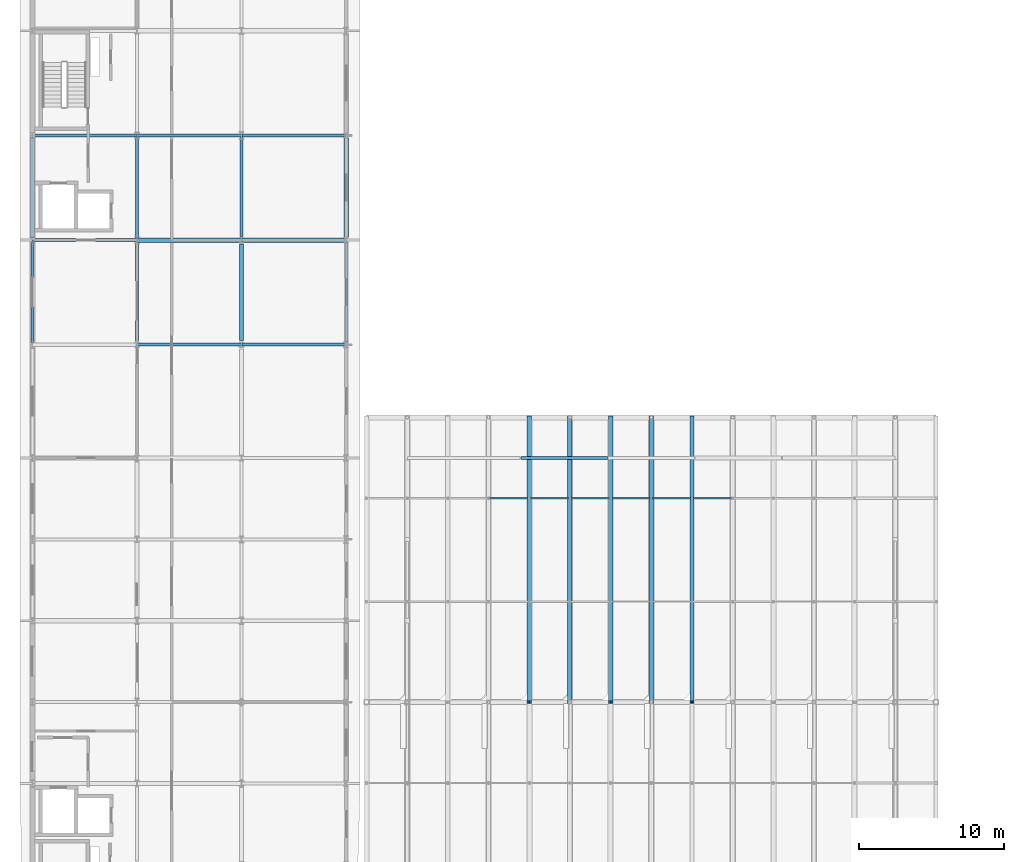
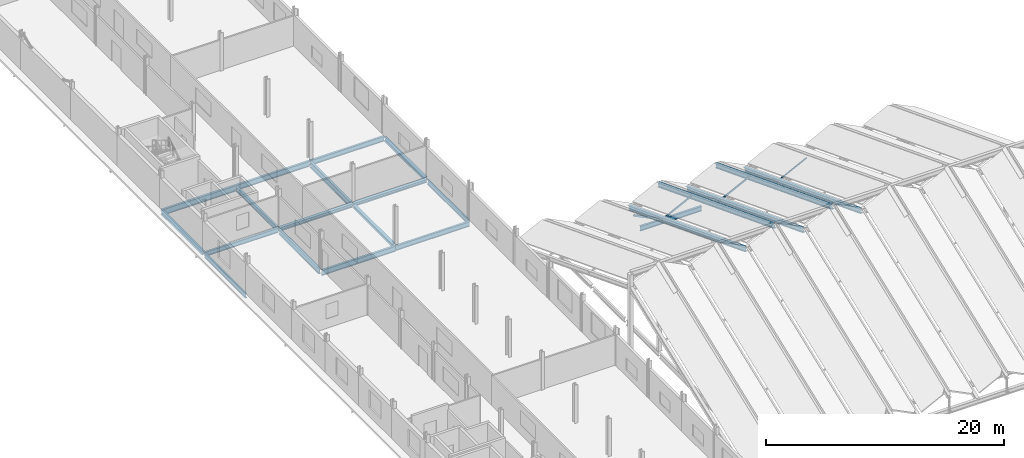
# One storey, part 20 of 49: 22 beams, 6 members.
"""IFC4 building model written with IfcOpenShell, lengths in metres."""

from ifc_helpers import new_model, si_unit, direction, frame, origin, origin_2d, place, context, subcontext, project, spatial, hollow_rectangle, i_section, extrude, material, material_profile, profile_set, type_object, element, save


model = new_model("IFC4")

# Units and contexts
model_context = context("Model", 3, precision=1e-05, world=origin(), true_north=direction((0.0, 1.0)))
body_context = subcontext(model_context, "Body", "Model", "MODEL_VIEW")
ifc_project = project(units=[si_unit("LENGTHUNIT", "METRE"), si_unit("AREAUNIT", "SQUARE_METRE"), si_unit("VOLUMEUNIT", "CUBIC_METRE"), si_unit("PLANEANGLEUNIT", "RADIAN"), si_unit("MASSUNIT", "GRAM", prefix="KILO")], contexts=[model_context])

# Site, building, storey
site_placement = place(None, origin())
site = spatial("IfcSite", under=ifc_project, at=site_placement, CompositionType="ELEMENT")
building_placement = place(site_placement, origin())
building = spatial("IfcBuilding", under=site, at=building_placement, Name="Vinh Khe Railworks Police Headquarters", CompositionType="ELEMENT")
storey_placement = place(building_placement, frame((0.0, 0.0, 17.10009765625)))
storey = spatial("IfcBuildingStorey", under=building, at=storey_placement, Name="L04", CompositionType="ELEMENT", Elevation=17.10009765625)

# Members
ifc_material = material(Name="Steel S355JR", Category="steel")
ifc_material_profile_1 = material_profile(ifc_material, hollow_rectangle(XDim=0.080078125, YDim=0.1201171875, WallThickness=0.00634765625, at=origin_2d()), Name="RHS 120x80x6.3")
ifc_profile_set_1 = profile_set([ifc_material_profile_1], Name="Steel S355JR")
member_type_1 = type_object("IfcMemberType", Name="Roof Purlin RHS 120x80x6.3", PredefinedType="PURLIN", material=ifc_profile_set_1)
member_1_placement = place(storey_placement, frame((46.0, 56.03271484375, 1.9775390625), z_axis=(0.894442788028, 0.0, 0.447182400083), x_axis=(0.0, 1.0, 0.0)))
element("IfcMember", 1, at=member_1_placement, inside=storey, type_object=member_type_1, Name="Folded Roof Purlin 036", PredefinedType="PURLIN", context=body_context, shape_type="SweptSolid", body=[
    extrude(hollow_rectangle(XDim=0.080078125, YDim=0.1201171875, WallThickness=0.00634765625, at=origin_2d()), origin(), (0.0, 0.0, 1.0), 3.130615234375),
])
ifc_material_profile_2 = material_profile(ifc_material, hollow_rectangle(XDim=0.10009765625, YDim=0.14990234375, WallThickness=0.008056640625, at=origin_2d()), Name="RHS 150x100x8")
ifc_profile_set_2 = profile_set([ifc_material_profile_2], Name="Steel S355JR")
member_type_2 = type_object("IfcMemberType", Name="Roof Purlin RHS 150x100x8", PredefinedType="PURLIN", material=ifc_profile_set_2)
for number, where, z_axis, x_axis, name in (
    (2, (40.39990234375, 56.03271484375, 1.96240234375), (0.894411593428, 0.0, 0.447244789285), (0.0, 1.0, 0.0), "Folded Roof Purlin 028"),
    (3, (43.199951171875, 56.03271484375, 3.362548828125), (0.894411593428, 0.0, -0.447244789285), (0.0, 1.0, 0.0), "Folded Roof Purlin 032"),
):
    element("IfcMember", number, at=place(storey_placement, frame(where, z_axis=z_axis, x_axis=x_axis)), inside=storey, type_object=member_type_2, Name=name, PredefinedType="PURLIN", context=body_context, shape_type="SweptSolid", body=[
        extrude(hollow_rectangle(XDim=0.10009765625, YDim=0.14990234375, WallThickness=0.008056640625, at=origin_2d()), origin(), (0.0, 0.0, 1.0), 3.130615234375),
    ])
ifc_material_profile_3 = material_profile(ifc_material, hollow_rectangle(XDim=0.080078125, YDim=0.159912109375, WallThickness=0.008056640625, at=origin_2d()), Name="RHS 160x80x8")
ifc_profile_set_3 = profile_set([ifc_material_profile_3], Name="Steel S355JR")
member_type_3 = type_object("IfcMemberType", Name="Roof Purlin RHS 160x80x8", PredefinedType="PURLIN", material=ifc_profile_set_3)
member_2_placement = place(storey_placement, frame((34.800048828125, 56.03271484375, 1.95751953125), z_axis=(0.894442788028, 0.0, 0.447182400083), x_axis=(0.0, 1.0, 0.0)))
element("IfcMember", 4, at=member_2_placement, inside=storey, type_object=member_type_3, Name="Folded Roof Purlin 020", PredefinedType="PURLIN", context=body_context, shape_type="SweptSolid", body=[
    extrude(hollow_rectangle(XDim=0.080078125, YDim=0.159912109375, WallThickness=0.008056640625, at=origin_2d()), origin(), (0.0, 0.0, 1.0), 3.130615234375),
])
member_3_placement = place(storey_placement, frame((37.60009765625, 56.03271484375, 3.357421875), z_axis=(0.894427191, 0.0, -0.4472135955), x_axis=(0.0, 1.0, 0.0)))
element("IfcMember", 5, at=member_3_placement, inside=storey, type_object=member_type_3, Name="Folded Roof Purlin 024", PredefinedType="PURLIN", context=body_context, shape_type="SweptSolid", body=[
    extrude(hollow_rectangle(XDim=0.080078125, YDim=0.159912109375, WallThickness=0.008056640625, at=origin_2d()), origin(), (0.0, 0.0, 1.0), 3.13037109375),
])
ifc_material_profile_4 = material_profile(ifc_material, hollow_rectangle(XDim=0.10009765625, YDim=0.179931640625, WallThickness=0.008056640625, at=origin_2d()), Name="RHS 180x100x8")
ifc_profile_set_4 = profile_set([ifc_material_profile_4], Name="Steel S355JR")
member_type_4 = type_object("IfcMemberType", Name="Roof Purlin RHS 180x100x8", PredefinedType="PURLIN", material=ifc_profile_set_4)
member_4_placement = place(storey_placement, frame((32.0, 56.03271484375, 3.347412109375), z_axis=(0.894442788028, 0.0, -0.447182400083), x_axis=(0.0, 1.0, 0.0)))
element("IfcMember", 6, at=member_4_placement, inside=storey, type_object=member_type_4, Name="Folded Roof Purlin 016", PredefinedType="PURLIN", context=body_context, shape_type="SweptSolid", body=[
    extrude(hollow_rectangle(XDim=0.10009765625, YDim=0.179931640625, WallThickness=0.008056640625, at=origin_2d()), origin(), (0.0, 0.0, 1.0), 3.130615234375),
])

# Beams
ifc_material_profile_5 = material_profile(ifc_material, i_section(OverallWidth=0.300048828125, OverallDepth=0.330078125, WebThickness=0.009521484375, FlangeThickness=0.0166015625, FilletRadius=0.027099609375, at=origin_2d()), Name="HEA 340")
ifc_profile_set_5 = profile_set([ifc_material_profile_5], Name="Steel S355JR")
beam_type_1 = type_object("IfcBeamType", Name="Steel Girder HEA 340", PredefinedType="BEAM", material=ifc_profile_set_5)
beam_1_placement = place(storey_placement, frame((15.02001953125, 73.800048828125, -0.364990234375), z_axis=(1.0, 0.0, 0.0), x_axis=(0.0, 1.0, 0.0)))
element("IfcBeam", 7, at=beam_1_placement, inside=storey, type_object=beam_type_1, Name="Girder BM-L04-EW-SB-16-1322", PredefinedType="BEAM", context=body_context, shape_type="SweptSolid", body=[
    extrude(i_section(OverallWidth=0.300048828125, OverallDepth=0.330078125, WebThickness=0.009521484375, FlangeThickness=0.0166015625, FilletRadius=0.027099609375, at=origin_2d()), origin(), (0.0, 0.0, 1.0), 7.159912109375),
])
beam_2_placement = place(storey_placement, frame((15.0, 66.8798828125, -0.364990234375), z_axis=(0.0, 1.0, 0.0), x_axis=(-1.0, 0.0, 0.0)))
element("IfcBeam", 8, at=beam_2_placement, inside=storey, type_object=beam_type_1, Name="Girder BM-L04-NS-SB-16-1412", PredefinedType="BEAM", context=body_context, shape_type="SweptSolid", body=[
    extrude(i_section(OverallWidth=0.300048828125, OverallDepth=0.330078125, WebThickness=0.009521484375, FlangeThickness=0.0166015625, FilletRadius=0.027099609375, at=origin_2d()), origin(), (0.0, 0.0, 1.0), 6.6650390625),
])
ifc_material_profile_6 = material_profile(ifc_material, i_section(OverallWidth=0.300048828125, OverallDepth=0.35009765625, WebThickness=0.010009765625, FlangeThickness=0.017578125, FilletRadius=0.027099609375, at=origin_2d()), Name="HEA 360")
ifc_profile_set_6 = profile_set([ifc_material_profile_6], Name="Steel S355JR")
beam_type_2 = type_object("IfcBeamType", Name="Steel Girder HEA 360", PredefinedType="BEAM", material=ifc_profile_set_6)
beam_3_placement = place(storey_placement, frame((7.820068359375, 73.800048828125, -0.375), z_axis=(1.0, 0.0, 0.0), x_axis=(0.0, 1.0, 0.0)))
element("IfcBeam", 9, at=beam_3_placement, inside=storey, type_object=beam_type_2, Name="Girder BM-L04-EW-SB-15-1321", PredefinedType="BEAM", context=body_context, shape_type="SweptSolid", body=[
    extrude(i_section(OverallWidth=0.300048828125, OverallDepth=0.35009765625, WebThickness=0.010009765625, FlangeThickness=0.017578125, FilletRadius=0.027099609375, at=origin_2d()), origin(), (0.0, 0.0, 1.0), 7.159912109375),
])
beam_4_placement = place(storey_placement, frame((0.60009765625, 73.93505859375, -0.375), z_axis=(0.0, 1.0, 0.0), x_axis=(-1.0, 0.0, 0.0)))
element("IfcBeam", 10, at=beam_4_placement, inside=storey, type_object=beam_type_2, Name="Girder BM-L04-NS-SB-15-1381", PredefinedType="BEAM", context=body_context, shape_type="SweptSolid", body=[
    extrude(i_section(OverallWidth=0.300048828125, OverallDepth=0.35009765625, WebThickness=0.010009765625, FlangeThickness=0.017578125, FilletRadius=0.027099609375, at=origin_2d()), origin(), (0.0, 0.0, 1.0), 6.93994140625),
])
beam_5_placement = place(storey_placement, frame((22.199951171875, 73.9599609375, -0.375), z_axis=(0.0, 1.0, 0.0), x_axis=(-1.0, 0.0, 0.0)))
element("IfcBeam", 11, at=beam_5_placement, inside=storey, type_object=beam_type_2, Name="Girder BM-L04-NS-SB-15-1429", PredefinedType="BEAM", context=body_context, shape_type="SweptSolid", body=[
    extrude(i_section(OverallWidth=0.300048828125, OverallDepth=0.35009765625, WebThickness=0.010009765625, FlangeThickness=0.017578125, FilletRadius=0.027099609375, at=origin_2d()), origin(), (0.0, 0.0, 1.0), 6.89013671875),
])
ifc_material_profile_7 = material_profile(ifc_material, i_section(OverallWidth=0.300048828125, OverallDepth=0.43994140625, WebThickness=0.011474609375, FlangeThickness=0.02099609375, FilletRadius=0.027099609375, at=origin_2d()), Name="HEA 450")
ifc_profile_set_7 = profile_set([ifc_material_profile_7], Name="Steel S355JR")
beam_type_3 = type_object("IfcBeamType", Name="Steel Girder HEA 450", PredefinedType="BEAM", material=ifc_profile_set_7)
for number, where, z_axis, x_axis, name in (
    (12, (37.60009765625, 61.60009765625, 1.208740234375), (0.0, -0.93236035026, 0.361530326893), (1.0, 0.0, 0.0), "Folded Roof Ridge Girder 012 (N)"),
    (13, (43.199951171875, 61.60009765625, 1.208740234375), (0.0, -0.93236035026, 0.361530326893), (1.0, 0.0, 0.0), "Folded Roof Ridge Girder 016 (N)"),
):
    element("IfcBeam", number, at=place(storey_placement, frame(where, z_axis=z_axis, x_axis=x_axis)), inside=storey, type_object=beam_type_3, Name=name, PredefinedType="BEAM", context=body_context, shape_type="SweptSolid", body=[
        extrude(i_section(OverallWidth=0.300048828125, OverallDepth=0.43994140625, WebThickness=0.011474609375, FlangeThickness=0.02099609375, FilletRadius=0.027099609375, at=origin_2d()), origin(), (0.0, 0.0, 1.0), 21.02197265625),
    ])
ifc_material_profile_8 = material_profile(ifc_material, i_section(OverallWidth=0.300048828125, OverallDepth=0.449951171875, WebThickness=0.013916015625, FlangeThickness=0.02587890625, FilletRadius=0.027099609375, at=origin_2d()), Name="HEB 450")
ifc_profile_set_8 = profile_set([ifc_material_profile_8], Name="Steel S355JR")
beam_type_4 = type_object("IfcBeamType", Name="Steel Girder HEB 450", PredefinedType="BEAM", material=ifc_profile_set_8)
for number, where, z_axis, x_axis, name in (
    (14, (34.800048828125, 61.60009765625, -0.191162109375), (0.0, -0.932364264883, 0.361520231204), (1.0, 0.0, 0.0), "Folded Roof Valley Girder 010 (N)"),
    (15, (40.39990234375, 61.60009765625, -0.191162109375), (0.0, -0.932364264883, 0.361520231204), (1.0, 0.0, 0.0), "Folded Roof Valley Girder 014 (N)"),
    (16, (46.0, 61.60009765625, -0.191162109375), (0.0, -0.932364264883, 0.361520231204), (1.0, 0.0, 0.0), "Folded Roof Valley Girder 018 (N)"),
):
    element("IfcBeam", number, at=place(storey_placement, frame(where, z_axis=z_axis, x_axis=x_axis)), inside=storey, type_object=beam_type_4, Name=name, PredefinedType="BEAM", context=body_context, shape_type="SweptSolid", body=[
        extrude(i_section(OverallWidth=0.300048828125, OverallDepth=0.449951171875, WebThickness=0.013916015625, FlangeThickness=0.02587890625, FilletRadius=0.027099609375, at=origin_2d()), origin(), (0.0, 0.0, 1.0), 21.02197265625),
    ])
ifc_material_profile_9 = material_profile(ifc_material, i_section(OverallWidth=0.18994140625, OverallDepth=0.449951171875, WebThickness=0.009521484375, FlangeThickness=0.0146484375, FilletRadius=0.02099609375, at=origin_2d()), Name="IPE 450")
ifc_profile_set_9 = profile_set([ifc_material_profile_9], Name="Steel S355JR")
beam_type_5 = type_object("IfcBeamType", Name="Steel Girder IPE 450", PredefinedType="BEAM", material=ifc_profile_set_9)
beam_6_placement = place(storey_placement, frame((0.6201171875, 73.800048828125, -0.425048828125), z_axis=(1.0, 0.0, 0.0), x_axis=(0.0, 1.0, 0.0)))
element("IfcBeam", 17, at=beam_6_placement, inside=storey, type_object=beam_type_5, Name="Girder BM-L04-EW-SB-20-1320", PredefinedType="BEAM", context=body_context, shape_type="SweptSolid", body=[
    extrude(i_section(OverallWidth=0.18994140625, OverallDepth=0.449951171875, WebThickness=0.009521484375, FlangeThickness=0.0146484375, FilletRadius=0.02099609375, at=origin_2d()), origin(), (0.0, 0.0, 1.0), 7.159912109375),
])
beam_7_placement = place(storey_placement, frame((0.60009765625, 66.75, -0.425048828125), z_axis=(0.0, 1.0, 0.0), x_axis=(-1.0, 0.0, 0.0)))
element("IfcBeam", 18, at=beam_7_placement, inside=storey, type_object=beam_type_5, Name="Girder BM-L04-NS-SB-20-1380", PredefinedType="BEAM", context=body_context, shape_type="SweptSolid", body=[
    extrude(i_section(OverallWidth=0.18994140625, OverallDepth=0.449951171875, WebThickness=0.009521484375, FlangeThickness=0.0146484375, FilletRadius=0.02099609375, at=origin_2d()), origin(), (0.0, 0.0, 1.0), 6.9150390625),
])
beam_8_placement = place(storey_placement, frame((22.199951171875, 66.780029296875, -0.425048828125), z_axis=(0.0, 1.0, 0.0), x_axis=(-1.0, 0.0, 0.0)))
element("IfcBeam", 19, at=beam_8_placement, inside=storey, type_object=beam_type_5, Name="Girder BM-L04-NS-SB-20-1428", PredefinedType="BEAM", context=body_context, shape_type="SweptSolid", body=[
    extrude(i_section(OverallWidth=0.18994140625, OverallDepth=0.449951171875, WebThickness=0.009521484375, FlangeThickness=0.0146484375, FilletRadius=0.02099609375, at=origin_2d()), origin(), (0.0, 0.0, 1.0), 6.85986328125),
])
ifc_material_profile_10 = material_profile(ifc_material, i_section(OverallWidth=0.199951171875, OverallDepth=0.5, WebThickness=0.01025390625, FlangeThickness=0.01611328125, FilletRadius=0.02099609375, at=origin_2d()), Name="IPE 500")
ifc_profile_set_10 = profile_set([ifc_material_profile_10], Name="Steel S355JR")
beam_type_6 = type_object("IfcBeamType", Name="Steel Girder IPE 500", PredefinedType="BEAM", material=ifc_profile_set_10)
beam_9_placement = place(storey_placement, frame((34.219970703125, 58.800048828125, -0.4501953125), z_axis=(1.0, 0.0, 0.0), x_axis=(0.0, 1.0, 0.0)))
element("IfcBeam", 20, at=beam_9_placement, inside=storey, type_object=beam_type_6, Name="Girder BM-L04-EW-SB-19-1313", PredefinedType="BEAM", context=body_context, shape_type="SweptSolid", body=[
    extrude(i_section(OverallWidth=0.199951171875, OverallDepth=0.5, WebThickness=0.01025390625, FlangeThickness=0.01611328125, FilletRadius=0.02099609375, at=origin_2d()), origin(), (0.0, 0.0, 1.0), 5.9599609375),
])
for number, where, z_axis, x_axis, name in (
    (21, (15.02001953125, 66.60009765625, -0.4501953125), (1.0, 0.0, 0.0), (0.0, 1.0, 0.0), "Girder BM-L04-EW-SB-19-1319"),
    (22, (15.02001953125, 81.0, -0.4501953125), (1.0, 0.0, 0.0), (0.0, 1.0, 0.0), "Girder BM-L04-EW-SB-19-1325"),
):
    element("IfcBeam", number, at=place(storey_placement, frame(where, z_axis=z_axis, x_axis=x_axis)), inside=storey, type_object=beam_type_6, Name=name, PredefinedType="BEAM", context=body_context, shape_type="SweptSolid", body=[
        extrude(i_section(OverallWidth=0.199951171875, OverallDepth=0.5, WebThickness=0.01025390625, FlangeThickness=0.01611328125, FilletRadius=0.02099609375, at=origin_2d()), origin(), (0.0, 0.0, 1.0), 7.159912109375),
    ])
beam_10_placement = place(storey_placement, frame((7.800048828125, 73.949951171875, -0.4501953125), z_axis=(0.0, 1.0, 0.0), x_axis=(-1.0, 0.0, 0.0)))
element("IfcBeam", 23, at=beam_10_placement, inside=storey, type_object=beam_type_6, Name="Girder BM-L04-NS-SB-19-1397", PredefinedType="BEAM", context=body_context, shape_type="SweptSolid", body=[
    extrude(i_section(OverallWidth=0.199951171875, OverallDepth=0.5, WebThickness=0.01025390625, FlangeThickness=0.01611328125, FilletRadius=0.02099609375, at=origin_2d()), origin(), (0.0, 0.0, 1.0), 6.9150390625),
])
ifc_material_profile_11 = material_profile(ifc_material, i_section(OverallWidth=0.2099609375, OverallDepth=0.550048828125, WebThickness=0.010986328125, FlangeThickness=0.01708984375, FilletRadius=0.02392578125, at=origin_2d()), Name="IPE 550")
ifc_profile_set_11 = profile_set([ifc_material_profile_11], Name="Steel S355JR")
beam_type_7 = type_object("IfcBeamType", Name="Steel Girder IPE 550", PredefinedType="BEAM", material=ifc_profile_set_11)
for number, where, z_axis, x_axis, name in (
    (24, (7.820068359375, 66.60009765625, -0.47509765625), (1.0, 0.0, 0.0), (0.0, 1.0, 0.0), "Girder BM-L04-EW-SB-18-1318"),
    (25, (7.820068359375, 81.0, -0.47509765625), (1.0, 0.0, 0.0), (0.0, 1.0, 0.0), "Girder BM-L04-EW-SB-18-1324"),
):
    element("IfcBeam", number, at=place(storey_placement, frame(where, z_axis=z_axis, x_axis=x_axis)), inside=storey, type_object=beam_type_7, Name=name, PredefinedType="BEAM", context=body_context, shape_type="SweptSolid", body=[
        extrude(i_section(OverallWidth=0.2099609375, OverallDepth=0.550048828125, WebThickness=0.010986328125, FlangeThickness=0.01708984375, FilletRadius=0.02392578125, at=origin_2d()), origin(), (0.0, 0.0, 1.0), 7.159912109375),
    ])
beam_11_placement = place(storey_placement, frame((7.800048828125, 66.85498046875, -0.47509765625), z_axis=(0.0, 1.0, 0.0), x_axis=(-1.0, 0.0, 0.0)))
element("IfcBeam", 26, at=beam_11_placement, inside=storey, type_object=beam_type_7, Name="Girder BM-L04-NS-SB-18-1396", PredefinedType="BEAM", context=body_context, shape_type="SweptSolid", body=[
    extrude(i_section(OverallWidth=0.2099609375, OverallDepth=0.550048828125, WebThickness=0.010986328125, FlangeThickness=0.01708984375, FilletRadius=0.02392578125, at=origin_2d()), origin(), (0.0, 0.0, 1.0), 6.794921875),
])
ifc_material_profile_12 = material_profile(ifc_material, i_section(OverallWidth=0.219970703125, OverallDepth=0.60009765625, WebThickness=0.011962890625, FlangeThickness=0.01904296875, FilletRadius=0.02392578125, at=origin_2d()), Name="IPE 600")
ifc_profile_set_12 = profile_set([ifc_material_profile_12], Name="Steel S355JR")
beam_type_8 = type_object("IfcBeamType", Name="Steel Girder IPE 600", PredefinedType="BEAM", material=ifc_profile_set_12)
beam_12_placement = place(storey_placement, frame((0.6201171875, 81.0, -0.5), z_axis=(1.0, 0.0, 0.0), x_axis=(0.0, 1.0, 0.0)))
element("IfcBeam", 27, at=beam_12_placement, inside=storey, type_object=beam_type_8, Name="Girder BM-L04-EW-SB-17-1323", PredefinedType="BEAM", context=body_context, shape_type="SweptSolid", body=[
    extrude(i_section(OverallWidth=0.219970703125, OverallDepth=0.60009765625, WebThickness=0.011962890625, FlangeThickness=0.01904296875, FilletRadius=0.02392578125, at=origin_2d()), origin(), (0.0, 0.0, 1.0), 7.159912109375),
])
beam_13_placement = place(storey_placement, frame((15.0, 74.054931640625, -0.5), z_axis=(0.0, 1.0, 0.0), x_axis=(-1.0, 0.0, 0.0)))
element("IfcBeam", 28, at=beam_13_placement, inside=storey, type_object=beam_type_8, Name="Girder BM-L04-NS-SB-17-1413", PredefinedType="BEAM", context=body_context, shape_type="SweptSolid", body=[
    extrude(i_section(OverallWidth=0.219970703125, OverallDepth=0.60009765625, WebThickness=0.011962890625, FlangeThickness=0.01904296875, FilletRadius=0.02392578125, at=origin_2d()), origin(), (0.0, 0.0, 1.0), 6.795166015625),
])

save(model, "model.ifc")
